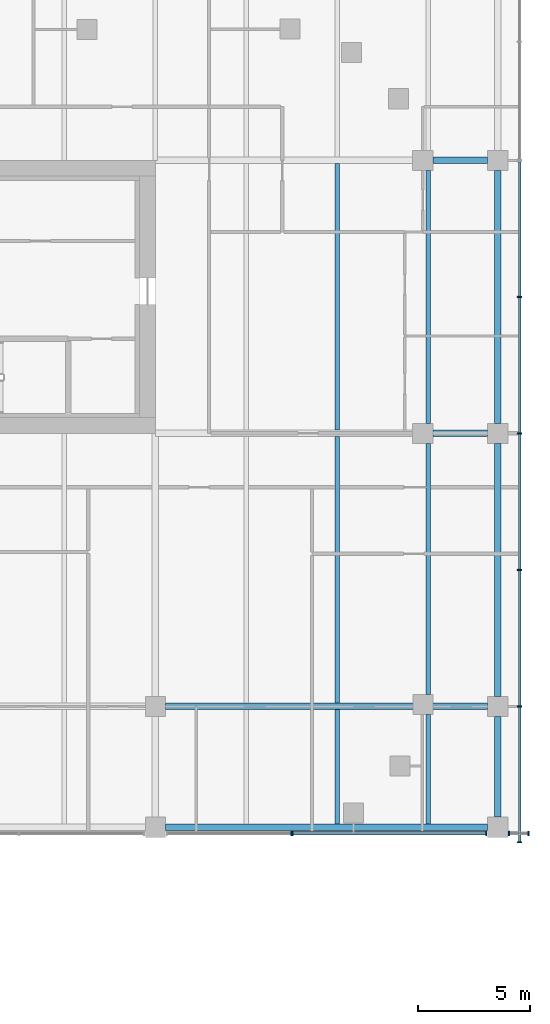
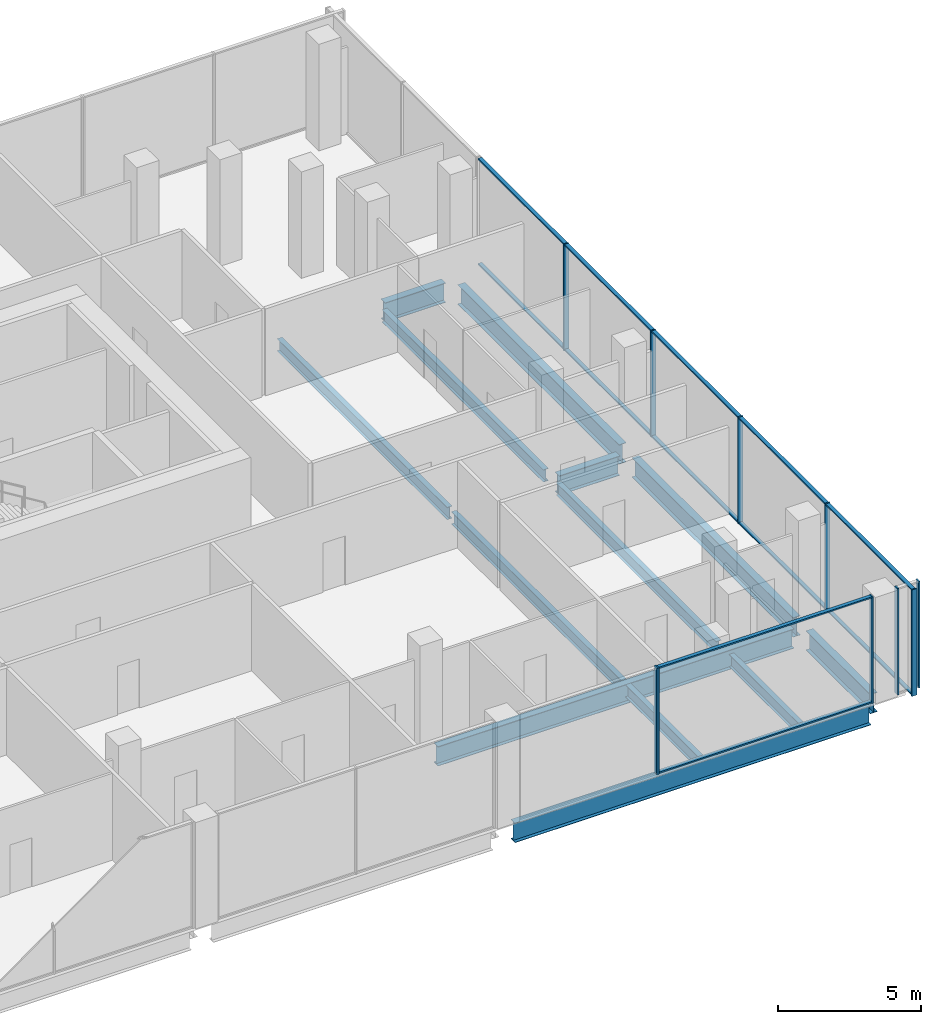
# One storey, part 14 of 33: 22 members, 13 beams, 4 elements without a shape of their own.
"""IFC4 building model written with IfcOpenShell, lengths in metres."""

from ifc_helpers import new_model, si_unit, direction, frame, origin, origin_2d, place, context, subcontext, project, spatial, rectangle, i_section, extrude, material, material_profile, profile_set, type_object, element, aggregate, save


model = new_model("IFC4")

# Units and contexts
model_context = context("Model", 3, precision=1e-05, world=origin(), true_north=direction((0.0, 1.0)))
body_context = subcontext(model_context, "Body", "Model", "MODEL_VIEW")
ifc_project = project(units=[si_unit("LENGTHUNIT", "METRE"), si_unit("AREAUNIT", "SQUARE_METRE"), si_unit("VOLUMEUNIT", "CUBIC_METRE"), si_unit("PLANEANGLEUNIT", "RADIAN"), si_unit("MASSUNIT", "GRAM", prefix="KILO")], contexts=[model_context])

# Site, building, storey
site_placement = place(None, origin())
site = spatial("IfcSite", under=ifc_project, at=site_placement, CompositionType="ELEMENT")
building_placement = place(site_placement, origin())
building = spatial("IfcBuilding", under=site, at=building_placement, Name="Tessera Gate Towers", CompositionType="ELEMENT")
storey_placement = place(building_placement, frame((0.0, 0.0, 7.199951171875)))
storey = spatial("IfcBuildingStorey", under=building, at=storey_placement, Name="L01", CompositionType="ELEMENT", Elevation=7.199951171875)

# Beams
ifc_material_1 = material(Name="Steel 350W", Category="steel")
ifc_material_profile_1 = material_profile(ifc_material_1, i_section(OverallWidth=0.2919921875, OverallDepth=0.8349609375, WebThickness=0.013916015625, FlangeThickness=0.018798828125, at=origin_2d()), Name="W840x176")
ifc_profile_set_1 = profile_set([ifc_material_profile_1], Name="Steel 350W")
beam_type_1 = type_object("IfcBeamType", Name="FLOOR GIRDER W840x176", PredefinedType="BEAM", material=ifc_profile_set_1)
for number, where, z_axis, x_axis, name in (
    (1, (122.449951171875, 19.0, -0.66748046875), (1.0, 0.0, 0.0), (0.0, 1.0, 0.0), "PD-GD-L01-194"),
    (2, (122.449951171875, 24.39990234375, -0.66748046875), (1.0, 0.0, 0.0), (0.0, 1.0, 0.0), "PD-GD-L01-211"),
):
    element("IfcBeam", number, at=place(storey_placement, frame(where, z_axis=z_axis, x_axis=x_axis)), inside=storey, type_object=beam_type_1, Name=name, PredefinedType="BEAM", context=body_context, shape_type="SweptSolid", body=[
        extrude(i_section(OverallWidth=0.2919921875, OverallDepth=0.8349609375, WebThickness=0.013916015625, FlangeThickness=0.018798828125, at=origin_2d()), origin(), (0.0, 0.0, 1.0), 14.400146484375),
    ])
for number, where, z_axis, x_axis, name in (
    (3, (134.39990234375, 36.60009765625, -0.66748046875), (1.0, 0.0, 0.0), (0.0, 1.0, 0.0), "PD-GD-L01-219"),
    (4, (134.39990234375, 48.800048828125, -0.66748046875), (1.0, 0.0, 0.0), (0.0, 1.0, 0.0), "PD-GD-L01-226"),
):
    element("IfcBeam", number, at=place(storey_placement, frame(where, z_axis=z_axis, x_axis=x_axis)), inside=storey, type_object=beam_type_1, Name=name, PredefinedType="BEAM", context=body_context, shape_type="SweptSolid", body=[
        extrude(i_section(OverallWidth=0.2919921875, OverallDepth=0.8349609375, WebThickness=0.013916015625, FlangeThickness=0.018798828125, at=origin_2d()), origin(), (0.0, 0.0, 1.0), 2.4501953125),
    ])
beam_1_placement = place(storey_placement, frame((137.300048828125, 19.449951171875, -0.66748046875), z_axis=(0.0, 1.0, 0.0), x_axis=(-1.0, 0.0, 0.0)))
element("IfcBeam", 5, at=beam_1_placement, inside=storey, type_object=beam_type_1, Name="PD-GD-L01-257", PredefinedType="BEAM", context=body_context, shape_type="SweptSolid", body=[
    extrude(i_section(OverallWidth=0.2919921875, OverallDepth=0.8349609375, WebThickness=0.013916015625, FlangeThickness=0.018798828125, at=origin_2d()), origin(), (0.0, 0.0, 1.0), 4.5),
])
beam_2_placement = place(storey_placement, frame((137.300048828125, 24.85009765625, -0.66748046875), z_axis=(0.0, 1.0, 0.0), x_axis=(-1.0, 0.0, 0.0)))
element("IfcBeam", 6, at=beam_2_placement, inside=storey, type_object=beam_type_1, Name="PD-GD-L01-258", PredefinedType="BEAM", context=body_context, shape_type="SweptSolid", body=[
    extrude(i_section(OverallWidth=0.2919921875, OverallDepth=0.8349609375, WebThickness=0.013916015625, FlangeThickness=0.018798828125, at=origin_2d()), origin(), (0.0, 0.0, 1.0), 11.2998046875),
])
beam_3_placement = place(storey_placement, frame((137.300048828125, 37.050048828125, -0.66748046875), z_axis=(0.0, 1.0, 0.0), x_axis=(-1.0, 0.0, 0.0)))
element("IfcBeam", 7, at=beam_3_placement, inside=storey, type_object=beam_type_1, Name="PD-GD-L01-259", PredefinedType="BEAM", context=body_context, shape_type="SweptSolid", body=[
    extrude(i_section(OverallWidth=0.2919921875, OverallDepth=0.8349609375, WebThickness=0.013916015625, FlangeThickness=0.018798828125, at=origin_2d()), origin(), (0.0, 0.0, 1.0), 11.300048828125),
])
ifc_material_2 = material(Name="Steel 350W", Category="steel")
ifc_material_profile_2 = material_profile(ifc_material_2, i_section(OverallWidth=0.208984375, OverallDepth=0.528076171875, WebThickness=0.009521484375, FlangeThickness=0.01318359375, at=origin_2d()), Name="W530x82")
ifc_profile_set_2 = profile_set([ifc_material_profile_2], Name="Steel 350W")
beam_type_2 = type_object("IfcBeamType", Name="FLOOR SECONDARY W530x82", PredefinedType="BEAM", material=ifc_profile_set_2)
beam_4_placement = place(storey_placement, frame((130.13330078125, 19.14599609375, -0.513916015625), z_axis=(0.0, 1.0, 0.0), x_axis=(-1.0, 0.0, 0.0)))
element("IfcBeam", 8, at=beam_4_placement, inside=storey, type_object=beam_type_2, Name="PD-BM-L01-349", PredefinedType="BEAM", context=body_context, shape_type="SweptSolid", body=[
    extrude(i_section(OverallWidth=0.208984375, OverallDepth=0.528076171875, WebThickness=0.009521484375, FlangeThickness=0.01318359375, at=origin_2d()), origin(), (0.0, 0.0, 1.0), 5.10791015625),
])
beam_5_placement = place(storey_placement, frame((130.13330078125, 24.5458984375, -0.513916015625), z_axis=(0.0, 1.0, 0.0), x_axis=(-1.0, 0.0, 0.0)))
element("IfcBeam", 9, at=beam_5_placement, inside=storey, type_object=beam_type_2, Name="PD-BM-L01-350", PredefinedType="BEAM", context=body_context, shape_type="SweptSolid", body=[
    extrude(i_section(OverallWidth=0.208984375, OverallDepth=0.528076171875, WebThickness=0.009521484375, FlangeThickness=0.01318359375, at=origin_2d()), origin(), (0.0, 0.0, 1.0), 11.908203125),
])
beam_6_placement = place(storey_placement, frame((130.13330078125, 36.74609375, -0.513916015625), z_axis=(0.0, 1.0, 0.0), x_axis=(-1.0, 0.0, 0.0)))
element("IfcBeam", 10, at=beam_6_placement, inside=storey, type_object=beam_type_2, Name="PD-BM-L01-351", PredefinedType="BEAM", context=body_context, shape_type="SweptSolid", body=[
    extrude(i_section(OverallWidth=0.208984375, OverallDepth=0.528076171875, WebThickness=0.009521484375, FlangeThickness=0.01318359375, at=origin_2d()), origin(), (0.0, 0.0, 1.0), 11.907958984375),
])
beam_7_placement = place(storey_placement, frame((134.199951171875, 19.14599609375, -0.513916015625), z_axis=(0.0, 1.0, 0.0), x_axis=(-1.0, 0.0, 0.0)))
element("IfcBeam", 11, at=beam_7_placement, inside=storey, type_object=beam_type_2, Name="PD-BM-L01-353", PredefinedType="BEAM", context=body_context, shape_type="SweptSolid", body=[
    extrude(i_section(OverallWidth=0.208984375, OverallDepth=0.528076171875, WebThickness=0.009521484375, FlangeThickness=0.01318359375, at=origin_2d()), origin(), (0.0, 0.0, 1.0), 4.89404296875),
])
beam_8_placement = place(storey_placement, frame((134.199951171875, 24.93994140625, -0.513916015625), z_axis=(0.0, 1.0, 0.0), x_axis=(-1.0, 0.0, 0.0)))
element("IfcBeam", 12, at=beam_8_placement, inside=storey, type_object=beam_type_2, Name="PD-BM-L01-354", PredefinedType="BEAM", context=body_context, shape_type="SweptSolid", body=[
    extrude(i_section(OverallWidth=0.208984375, OverallDepth=0.528076171875, WebThickness=0.009521484375, FlangeThickness=0.01318359375, at=origin_2d()), origin(), (0.0, 0.0, 1.0), 11.2099609375),
])
beam_9_placement = place(storey_placement, frame((134.199951171875, 37.050048828125, -0.513916015625), z_axis=(0.0, 1.0, 0.0), x_axis=(-1.0, 0.0, 0.0)))
element("IfcBeam", 13, at=beam_9_placement, inside=storey, type_object=beam_type_2, Name="PD-BM-L01-355", PredefinedType="BEAM", context=body_context, shape_type="SweptSolid", body=[
    extrude(i_section(OverallWidth=0.208984375, OverallDepth=0.528076171875, WebThickness=0.009521484375, FlangeThickness=0.01318359375, at=origin_2d()), origin(), (0.0, 0.0, 1.0), 11.300048828125),
])

# Curtain wall, member
ifc_material_3 = material(Name="Aluminium frame", Category="aluminium")
curtain_wall_type = type_object("IfcCurtainWallType", Name="CW-S1 podium storefront", PredefinedType="NOTDEFINED", material=ifc_material_3)
curtain_wall_1_placement = place(storey_placement, origin())
curtain_wall_1 = element("IfcCurtainWall", 14, at=curtain_wall_1_placement, inside=storey, type_object=curtain_wall_type, Name="Curtain wall podium storefront 0164", PredefinedType="NOTDEFINED")
ifc_material_4 = material(Name="Aluminium frame", Category="aluminium")
ifc_material_profile_3 = material_profile(ifc_material_4, rectangle(XDim=0.06005859375, YDim=0.199951171875, at=origin_2d()), Name="AL 60x200")
ifc_profile_set_3 = profile_set([ifc_material_profile_3], Name="Aluminium frame")
member_type_1 = type_object("IfcMemberType", Name="MU-S1 mullion 60x200", PredefinedType="MULLION", material=ifc_profile_set_3)
member_1_placement = place(storey_placement, frame((128.070068359375, 18.72509765625, 0.0), z_axis=(0.0, 0.0, 1.0), x_axis=(1.0, 0.0, 0.0)))
member_1 = element("IfcMember", 15, at=member_1_placement, type_object=member_type_1, Name="PD-CW1-0164 mullion 2", PredefinedType="MULLION", context=body_context, shape_type="SweptSolid", body=[
    extrude(rectangle(XDim=0.06005859375, YDim=0.199951171875, at=origin_2d()), origin(), (0.0, 0.0, 1.0), 4.550048828125),
])
aggregate(curtain_wall_1, [member_1])

# Curtain wall, members
curtain_wall_2_placement = place(storey_placement, origin())
curtain_wall_2 = element("IfcCurtainWall", 16, at=curtain_wall_2_placement, inside=storey, type_object=curtain_wall_type, Name="Curtain wall podium storefront 0171", PredefinedType="NOTDEFINED")
member_2_placement = place(storey_placement, frame((128.1298828125, 18.72509765625, 0.0), z_axis=(0.0, 0.0, 1.0), x_axis=(1.0, 0.0, 0.0)))
member_2 = element("IfcMember", 17, at=member_2_placement, type_object=member_type_1, Name="PD-CW1-0171 mullion 1", PredefinedType="MULLION", context=body_context, shape_type="SweptSolid", body=[
    extrude(rectangle(XDim=0.06005859375, YDim=0.199951171875, at=origin_2d()), origin(), (0.0, 0.0, 1.0), 4.550048828125),
])
member_3_placement = place(storey_placement, frame((136.7900390625, 18.72509765625, 0.0), z_axis=(0.0, 0.0, 1.0), x_axis=(1.0, 0.0, 0.0)))
member_3 = element("IfcMember", 18, at=member_3_placement, type_object=member_type_1, Name="PD-CW1-0171 mullion 2", PredefinedType="MULLION", context=body_context, shape_type="SweptSolid", body=[
    extrude(rectangle(XDim=0.06005859375, YDim=0.199951171875, at=origin_2d()), origin(), (0.0, 0.0, 1.0), 4.550048828125),
])

curtain_wall_3_placement = place(storey_placement, origin())
curtain_wall_3 = element("IfcCurtainWall", 19, at=curtain_wall_3_placement, inside=storey, type_object=curtain_wall_type, Name="Curtain wall podium storefront 0172", PredefinedType="NOTDEFINED")
member_4_placement = place(storey_placement, frame((137.81005859375, 18.72509765625, 0.0), z_axis=(0.0, 0.0, 1.0), x_axis=(1.0, 0.0, 0.0)))
member_4 = element("IfcMember", 20, at=member_4_placement, type_object=member_type_1, Name="PD-CW1-0172 mullion 1", PredefinedType="MULLION", context=body_context, shape_type="SweptSolid", body=[
    extrude(rectangle(XDim=0.06005859375, YDim=0.199951171875, at=origin_2d()), origin(), (0.0, 0.0, 1.0), 4.550048828125),
])
member_5_placement = place(storey_placement, frame((138.669921875, 18.72509765625, 0.0), z_axis=(0.0, 0.0, 1.0), x_axis=(1.0, 0.0, 0.0)))
member_5 = element("IfcMember", 21, at=member_5_placement, type_object=member_type_1, Name="PD-CW1-0172 mullion 2", PredefinedType="MULLION", context=body_context, shape_type="SweptSolid", body=[
    extrude(rectangle(XDim=0.06005859375, YDim=0.199951171875, at=origin_2d()), origin(), (0.0, 0.0, 1.0), 4.550048828125),
])
aggregate(curtain_wall_3, [member_4, member_5])

curtain_wall_4_placement = place(storey_placement, origin())
curtain_wall_4 = element("IfcCurtainWall", 22, at=curtain_wall_4_placement, inside=storey, type_object=curtain_wall_type, Name="Curtain wall podium storefront 0179", PredefinedType="NOTDEFINED")
member_6_placement = place(storey_placement, frame((138.27490234375, 18.330078125, 0.0), z_axis=(0.0, 0.0, 1.0), x_axis=(0.0, 1.0, 0.0)))
member_6 = element("IfcMember", 23, at=member_6_placement, type_object=member_type_1, Name="PD-CW1-0179 mullion 1", PredefinedType="MULLION", context=body_context, shape_type="SweptSolid", body=[
    extrude(rectangle(XDim=0.06005859375, YDim=0.199951171875, at=origin_2d()), origin(), (0.0, 0.0, 1.0), 4.550048828125),
])
member_7_placement = place(storey_placement, frame((138.27490234375, 24.39990234375, 0.0), z_axis=(0.0, 0.0, 1.0), x_axis=(0.0, 1.0, 0.0)))
member_7 = element("IfcMember", 24, at=member_7_placement, type_object=member_type_1, Name="PD-CW1-0179 mullion 2", PredefinedType="MULLION", context=body_context, shape_type="SweptSolid", body=[
    extrude(rectangle(XDim=0.06005859375, YDim=0.199951171875, at=origin_2d()), origin(), (0.0, 0.0, 1.0), 4.550048828125),
])
member_8_placement = place(storey_placement, frame((138.27490234375, 30.5, 0.0), z_axis=(0.0, 0.0, 1.0), x_axis=(0.0, 1.0, 0.0)))
member_8 = element("IfcMember", 25, at=member_8_placement, type_object=member_type_1, Name="PD-CW1-0179 mullion 3", PredefinedType="MULLION", context=body_context, shape_type="SweptSolid", body=[
    extrude(rectangle(XDim=0.06005859375, YDim=0.199951171875, at=origin_2d()), origin(), (0.0, 0.0, 1.0), 4.550048828125),
])
member_9_placement = place(storey_placement, frame((138.27490234375, 36.60009765625, 0.0), z_axis=(0.0, 0.0, 1.0), x_axis=(0.0, 1.0, 0.0)))
member_9 = element("IfcMember", 26, at=member_9_placement, type_object=member_type_1, Name="PD-CW1-0179 mullion 4", PredefinedType="MULLION", context=body_context, shape_type="SweptSolid", body=[
    extrude(rectangle(XDim=0.06005859375, YDim=0.199951171875, at=origin_2d()), origin(), (0.0, 0.0, 1.0), 4.550048828125),
])
member_10_placement = place(storey_placement, frame((138.27490234375, 42.699951171875, 0.0), z_axis=(0.0, 0.0, 1.0), x_axis=(0.0, 1.0, 0.0)))
member_10 = element("IfcMember", 27, at=member_10_placement, type_object=member_type_1, Name="PD-CW1-0179 mullion 5", PredefinedType="MULLION", context=body_context, shape_type="SweptSolid", body=[
    extrude(rectangle(XDim=0.06005859375, YDim=0.199951171875, at=origin_2d()), origin(), (0.0, 0.0, 1.0), 4.550048828125),
])

# Member
ifc_material_5 = material(Name="Aluminium frame", Category="aluminium")
ifc_material_profile_4 = material_profile(ifc_material_5, rectangle(XDim=0.14990234375, YDim=0.06005859375, at=origin_2d()), Name="AL 60x150")
ifc_profile_set_4 = profile_set([ifc_material_profile_4], Name="Aluminium frame")
member_type_2 = type_object("IfcMemberType", Name="TR-S1 transom 60x150", PredefinedType="USERDEFINED", material=ifc_profile_set_4)
member_11_placement = place(storey_placement, frame((128.159912109375, 18.72509765625, 0.030029296875), z_axis=(1.0, 0.0, 0.0), x_axis=(0.0, 1.0, 0.0)))
member_11 = element("IfcMember", 28, at=member_11_placement, type_object=member_type_2, Name="PD-CW1-0171 transom 1.1", ObjectType="TRANSOM", PredefinedType="USERDEFINED", context=body_context, shape_type="SweptSolid", body=[
    extrude(rectangle(XDim=0.14990234375, YDim=0.06005859375, at=origin_2d()), origin(), (0.0, 0.0, 1.0), 8.60009765625),
])

member_12_placement = place(storey_placement, frame((128.159912109375, 18.72509765625, 4.52001953125), z_axis=(1.0, 0.0, 0.0), x_axis=(0.0, 1.0, 0.0)))
member_12 = element("IfcMember", 29, at=member_12_placement, type_object=member_type_2, Name="PD-CW1-0171 transom 1.2", ObjectType="TRANSOM", PredefinedType="USERDEFINED", context=body_context, shape_type="SweptSolid", body=[
    extrude(rectangle(XDim=0.14990234375, YDim=0.06005859375, at=origin_2d()), origin(), (0.0, 0.0, 1.0), 8.60009765625),
])

aggregate(curtain_wall_2, [member_2, member_3, member_11, member_12])

member_13_placement = place(storey_placement, frame((138.27490234375, 18.360107421875, 0.030029296875), z_axis=(0.0, 1.0, 0.0), x_axis=(-1.0, 0.0, 0.0)))
member_13 = element("IfcMember", 30, at=member_13_placement, type_object=member_type_2, Name="PD-CW1-0179 transom 1.1", ObjectType="TRANSOM", PredefinedType="USERDEFINED", context=body_context, shape_type="SweptSolid", body=[
    extrude(rectangle(XDim=0.14990234375, YDim=0.06005859375, at=origin_2d()), origin(), (0.0, 0.0, 1.0), 6.010009765625),
])

member_14_placement = place(storey_placement, frame((138.27490234375, 18.360107421875, 4.52001953125), z_axis=(0.0, 1.0, 0.0), x_axis=(-1.0, 0.0, 0.0)))
member_14 = element("IfcMember", 31, at=member_14_placement, type_object=member_type_2, Name="PD-CW1-0179 transom 1.2", ObjectType="TRANSOM", PredefinedType="USERDEFINED", context=body_context, shape_type="SweptSolid", body=[
    extrude(rectangle(XDim=0.14990234375, YDim=0.06005859375, at=origin_2d()), origin(), (0.0, 0.0, 1.0), 6.010009765625),
])

member_15_placement = place(storey_placement, frame((138.27490234375, 24.429931640625, 0.030029296875), z_axis=(0.0, 1.0, 0.0), x_axis=(-1.0, 0.0, 0.0)))
member_15 = element("IfcMember", 32, at=member_15_placement, type_object=member_type_2, Name="PD-CW1-0179 transom 2.1", ObjectType="TRANSOM", PredefinedType="USERDEFINED", context=body_context, shape_type="SweptSolid", body=[
    extrude(rectangle(XDim=0.14990234375, YDim=0.06005859375, at=origin_2d()), origin(), (0.0, 0.0, 1.0), 6.0400390625),
])

member_16_placement = place(storey_placement, frame((138.27490234375, 24.429931640625, 4.52001953125), z_axis=(0.0, 1.0, 0.0), x_axis=(-1.0, 0.0, 0.0)))
member_16 = element("IfcMember", 33, at=member_16_placement, type_object=member_type_2, Name="PD-CW1-0179 transom 2.2", ObjectType="TRANSOM", PredefinedType="USERDEFINED", context=body_context, shape_type="SweptSolid", body=[
    extrude(rectangle(XDim=0.14990234375, YDim=0.06005859375, at=origin_2d()), origin(), (0.0, 0.0, 1.0), 6.0400390625),
])

member_17_placement = place(storey_placement, frame((138.27490234375, 30.530029296875, 0.030029296875), z_axis=(0.0, 1.0, 0.0), x_axis=(-1.0, 0.0, 0.0)))
member_17 = element("IfcMember", 34, at=member_17_placement, type_object=member_type_2, Name="PD-CW1-0179 transom 3.1", ObjectType="TRANSOM", PredefinedType="USERDEFINED", context=body_context, shape_type="SweptSolid", body=[
    extrude(rectangle(XDim=0.14990234375, YDim=0.06005859375, at=origin_2d()), origin(), (0.0, 0.0, 1.0), 6.0400390625),
])

member_18_placement = place(storey_placement, frame((138.27490234375, 30.530029296875, 4.52001953125), z_axis=(0.0, 1.0, 0.0), x_axis=(-1.0, 0.0, 0.0)))
member_18 = element("IfcMember", 35, at=member_18_placement, type_object=member_type_2, Name="PD-CW1-0179 transom 3.2", ObjectType="TRANSOM", PredefinedType="USERDEFINED", context=body_context, shape_type="SweptSolid", body=[
    extrude(rectangle(XDim=0.14990234375, YDim=0.06005859375, at=origin_2d()), origin(), (0.0, 0.0, 1.0), 6.0400390625),
])

member_19_placement = place(storey_placement, frame((138.27490234375, 36.6298828125, 0.030029296875), z_axis=(0.0, 1.0, 0.0), x_axis=(-1.0, 0.0, 0.0)))
member_19 = element("IfcMember", 36, at=member_19_placement, type_object=member_type_2, Name="PD-CW1-0179 transom 4.1", ObjectType="TRANSOM", PredefinedType="USERDEFINED", context=body_context, shape_type="SweptSolid", body=[
    extrude(rectangle(XDim=0.14990234375, YDim=0.06005859375, at=origin_2d()), origin(), (0.0, 0.0, 1.0), 6.0400390625),
])

member_20_placement = place(storey_placement, frame((138.27490234375, 36.6298828125, 4.52001953125), z_axis=(0.0, 1.0, 0.0), x_axis=(-1.0, 0.0, 0.0)))
member_20 = element("IfcMember", 37, at=member_20_placement, type_object=member_type_2, Name="PD-CW1-0179 transom 4.2", ObjectType="TRANSOM", PredefinedType="USERDEFINED", context=body_context, shape_type="SweptSolid", body=[
    extrude(rectangle(XDim=0.14990234375, YDim=0.06005859375, at=origin_2d()), origin(), (0.0, 0.0, 1.0), 6.0400390625),
])

member_21_placement = place(storey_placement, frame((138.27490234375, 42.72998046875, 0.030029296875), z_axis=(0.0, 1.0, 0.0), x_axis=(-1.0, 0.0, 0.0)))
member_21 = element("IfcMember", 38, at=member_21_placement, type_object=member_type_2, Name="PD-CW1-0179 transom 5.1", ObjectType="TRANSOM", PredefinedType="USERDEFINED", context=body_context, shape_type="SweptSolid", body=[
    extrude(rectangle(XDim=0.14990234375, YDim=0.06005859375, at=origin_2d()), origin(), (0.0, 0.0, 1.0), 6.010009765625),
])

member_22_placement = place(storey_placement, frame((138.27490234375, 42.72998046875, 4.52001953125), z_axis=(0.0, 1.0, 0.0), x_axis=(-1.0, 0.0, 0.0)))
member_22 = element("IfcMember", 39, at=member_22_placement, type_object=member_type_2, Name="PD-CW1-0179 transom 5.2", ObjectType="TRANSOM", PredefinedType="USERDEFINED", context=body_context, shape_type="SweptSolid", body=[
    extrude(rectangle(XDim=0.14990234375, YDim=0.06005859375, at=origin_2d()), origin(), (0.0, 0.0, 1.0), 6.010009765625),
])

aggregate(curtain_wall_4, [member_6, member_7, member_8, member_9, member_10, member_13, member_14, member_15, member_16, member_17, member_18, member_19, member_20, member_21, member_22])

save(model, "model.ifc")
